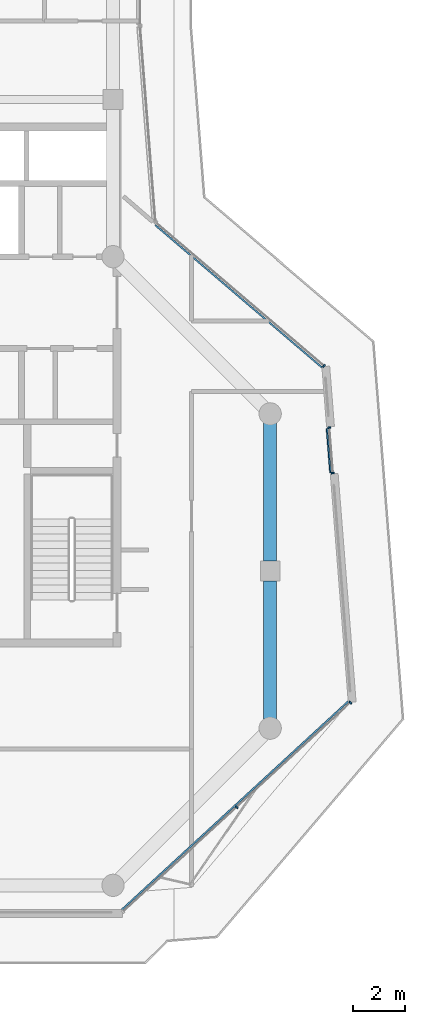
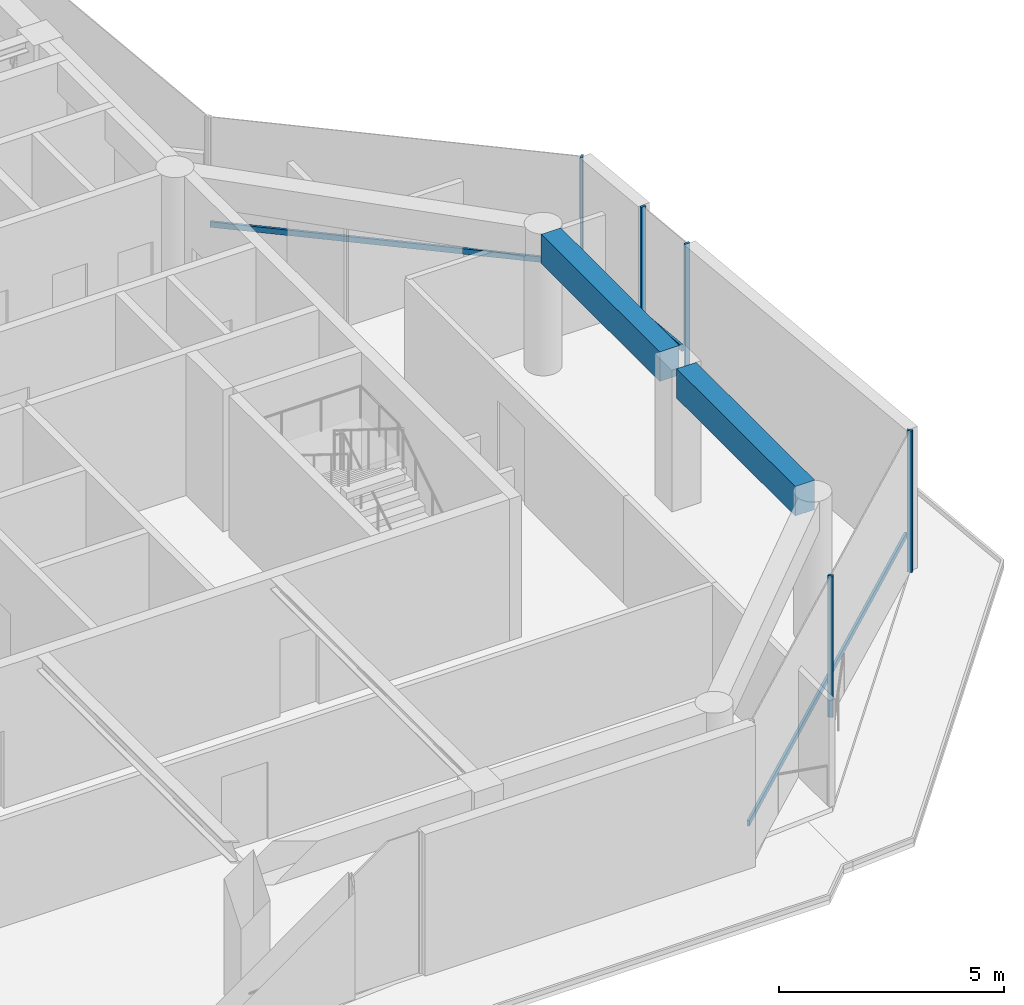
# One storey, part 6 of 23: 8 members, 2 beams, 3 elements without a shape of their own.
"""IFC4 building model written with IfcOpenShell, lengths in metres."""

from ifc_helpers import new_model, si_unit, direction, frame, origin, origin_2d, place, context, subcontext, project, spatial, rectangle, extrude, material, layer, layer_set, material_profile, profile_set, type_object, element, aggregate, save


model = new_model("IFC4")

# Units and contexts
model_context = context("Model", 3, precision=1e-05, world=origin(), true_north=direction((0.0, 1.0)))
body_context = subcontext(model_context, "Body", "Model", "MODEL_VIEW")
ifc_project = project(units=[si_unit("LENGTHUNIT", "METRE"), si_unit("AREAUNIT", "SQUARE_METRE"), si_unit("VOLUMEUNIT", "CUBIC_METRE"), si_unit("PLANEANGLEUNIT", "RADIAN"), si_unit("MASSUNIT", "GRAM", prefix="KILO")], contexts=[model_context])

# Site, building, storey
site_placement = place(None, origin())
site = spatial("IfcSite", under=ifc_project, at=site_placement, CompositionType="ELEMENT")
building_placement = place(site_placement, origin())
building = spatial("IfcBuilding", under=site, at=building_placement, Name="Welwitschia Terrace Campus", CompositionType="ELEMENT")
storey_placement = place(building_placement, frame((0.0, 0.0, 306.199951171875)))
storey = spatial("IfcBuildingStorey", under=building, at=storey_placement, Name="L68", CompositionType="ELEMENT", Elevation=306.199951171875)

# Curtain wall, members
ifc_material_1 = material(Name="Bronze anodised aluminium", Category="aluminium")
ifc_layer = layer(ifc_material_1, 0.1201171875)
ifc_layer_set = layer_set([ifc_layer], Name="Bronze anodised aluminium")
curtain_wall_type = type_object("IfcCurtainWallType", Name="Curtain wall CW2 tower 6000", PredefinedType="NOTDEFINED", material=ifc_layer_set)
curtain_wall_1_placement = place(storey_placement, origin())
curtain_wall_1 = element("IfcCurtainWall", 1, at=curtain_wall_1_placement, inside=storey, type_object=curtain_wall_type, Name="CW L68.3.0", PredefinedType="NOTDEFINED")
ifc_material_2 = material(Name="Bronze anodised aluminium", Category="aluminium")
ifc_material_profile_1 = material_profile(ifc_material_2, rectangle(XDim=0.1201171875, YDim=0.06005859375, at=origin_2d()))
ifc_profile_set_1 = profile_set([ifc_material_profile_1], Name="Bronze anodised aluminium")
member_type_1 = type_object("IfcMemberType", Name="Mullion 60x120", PredefinedType="MULLION", material=ifc_profile_set_1)
member_1_placement = place(storey_placement, frame((28.719970703125, -1.017822265625, 0.0), z_axis=(0.0, 0.0, 1.0), x_axis=(-0.677034390902, 0.735951379872, 0.0)))
member_1 = element("IfcMember", 2, at=member_1_placement, type_object=member_type_1, Name="Mullion L68.3.0.1", PredefinedType="MULLION", context=body_context, shape_type="SweptSolid", body=[
    extrude(rectangle(XDim=0.1201171875, YDim=0.06005859375, at=origin_2d()), origin(), (0.0, 0.0, 1.0), 3.85009765625),
])
member_2_placement = place(storey_placement, frame((33.05908203125, 2.973876953125, 0.0), z_axis=(0.0, 0.0, 1.0), x_axis=(-0.677034390902, 0.735951379872, 0.0)))
member_2 = element("IfcMember", 3, at=member_2_placement, type_object=member_type_1, Name="Mullion L68.3.0.2", PredefinedType="MULLION", context=body_context, shape_type="SweptSolid", body=[
    extrude(rectangle(XDim=0.1201171875, YDim=0.06005859375, at=origin_2d()), origin(), (0.0, 0.0, 1.0), 3.85009765625),
])

curtain_wall_2_placement = place(storey_placement, origin())
curtain_wall_2 = element("IfcCurtainWall", 4, at=curtain_wall_2_placement, inside=storey, type_object=curtain_wall_type, Name="CW L68.4.S0", PredefinedType="NOTDEFINED")
member_3_placement = place(storey_placement, frame((32.393310546875, 11.7373046875, 0.0), z_axis=(0.0, 0.0, 1.0), x_axis=(-0.996917333733, -0.078459095728, 0.0)))
member_3 = element("IfcMember", 5, at=member_3_placement, type_object=member_type_1, Name="Mullion L68.4.S0.0", PredefinedType="MULLION", context=body_context, shape_type="SweptSolid", body=[
    extrude(rectangle(XDim=0.1201171875, YDim=0.06005859375, at=origin_2d()), origin(), (0.0, 0.0, 1.0), 3.85009765625),
])
member_4_placement = place(storey_placement, frame((32.256591796875, 13.471923828125, 0.0), z_axis=(0.0, 0.0, 1.0), x_axis=(-0.996917333733, -0.078459095728, 0.0)))
member_4 = element("IfcMember", 6, at=member_4_placement, type_object=member_type_1, Name="Mullion L68.4.S0.1", PredefinedType="MULLION", context=body_context, shape_type="SweptSolid", body=[
    extrude(rectangle(XDim=0.1201171875, YDim=0.06005859375, at=origin_2d()), origin(), (0.0, 0.0, 1.0), 3.85009765625),
])

# Curtain wall, member
curtain_wall_3_placement = place(storey_placement, origin())
curtain_wall_3 = element("IfcCurtainWall", 7, at=curtain_wall_3_placement, inside=storey, type_object=curtain_wall_type, Name="CW L68.5.0", PredefinedType="NOTDEFINED")
member_5_placement = place(storey_placement, frame((32.050048828125, 15.827392578125, 0.0), z_axis=(0.0, 0.0, 1.0), x_axis=(-0.64944804833, -0.7604059656, 0.0)))
member_5 = element("IfcMember", 8, at=member_5_placement, type_object=member_type_1, Name="Mullion L68.5.0.0", PredefinedType="MULLION", context=body_context, shape_type="SweptSolid", body=[
    extrude(rectangle(XDim=0.1201171875, YDim=0.06005859375, at=origin_2d()), origin(), (0.0, 0.0, 1.0), 3.85009765625),
])

# Beams
ifc_material_3 = material(Name="Concrete C50/60", Category="concrete")
ifc_material_profile_2 = material_profile(ifc_material_3, rectangle(XDim=0.5, YDim=0.800048828125, at=origin_2d()))
ifc_profile_set_2 = profile_set([ifc_material_profile_2], Name="Concrete C50/60")
beam_type = type_object("IfcBeamType", Name="Ring spandrel 500x800", PredefinedType="SPANDREL", material=ifc_profile_set_2)
for number, where, z_axis, x_axis, name in (
    (9, (30.0, 2.344482421875, 3.449951171875), (0.0, 1.0, 0.0), (-1.0, 0.0, 0.0), "Spandrel SP4"),
    (10, (30.0, 8.37548828125, 3.449951171875), (0.0, 1.0, 0.0), (-1.0, 0.0, 0.0), "Spandrel SP4"),
):
    element("IfcBeam", number, at=place(storey_placement, frame(where, z_axis=z_axis, x_axis=x_axis)), inside=storey, type_object=beam_type, Name=name, PredefinedType="SPANDREL", context=body_context, shape_type="SweptSolid", body=[
        extrude(rectangle(XDim=0.5, YDim=0.800048828125, at=origin_2d()), origin(), (0.0, 0.0, 1.0), 5.280029296875),
    ])

# Member
ifc_material_4 = material(Name="Bronze anodised aluminium", Category="aluminium")
ifc_material_profile_3 = material_profile(ifc_material_4, rectangle(XDim=0.06005859375, YDim=0.14990234375, at=origin_2d()))
ifc_profile_set_3 = profile_set([ifc_material_profile_3], Name="Bronze anodised aluminium")
member_type_2 = type_object("IfcMemberType", Name="Transom 60x150", PredefinedType="USERDEFINED", material=ifc_profile_set_3)
member_6_placement = place(storey_placement, frame((24.341796875, -4.923095703125, 1.0), z_axis=(0.735948845646, 0.677037145651, 0.0), x_axis=(-0.677037145651, 0.735948845646, 0.0)))
member_6 = element("IfcMember", 11, at=member_6_placement, type_object=member_type_2, Name="Transom L68.3.0", ObjectType="TRANSOM", PredefinedType="USERDEFINED", context=body_context, shape_type="SweptSolid", body=[
    extrude(rectangle(XDim=0.06005859375, YDim=0.14990234375, at=origin_2d()), origin(), (0.0, 0.0, 1.0), 11.732177734375),
])

aggregate(curtain_wall_1, [member_1, member_2, member_6])

member_7_placement = place(storey_placement, frame((32.301025390625, 11.760009765625, 1.0), z_axis=(-0.078474447191, 0.996916125428, 0.0), x_axis=(-0.996916125428, -0.078474447191, 0.0)))
member_7 = element("IfcMember", 12, at=member_7_placement, type_object=member_type_2, Name="Transom L68.4.S0", ObjectType="TRANSOM", PredefinedType="USERDEFINED", context=body_context, shape_type="SweptSolid", body=[
    extrude(rectangle(XDim=0.06005859375, YDim=0.14990234375, at=origin_2d()), origin(), (0.0, 0.0, 1.0), 1.679931640625),
])

aggregate(curtain_wall_2, [member_3, member_4, member_7])

member_8_placement = place(storey_placement, frame((31.96875, 15.778564453125, 1.0), z_axis=(-0.760421419822, 0.649429953325, 0.0), x_axis=(-0.649429953325, -0.760421419822, 0.0)))
member_8 = element("IfcMember", 13, at=member_8_placement, type_object=member_type_2, Name="Transom L68.5.0", ObjectType="TRANSOM", PredefinedType="USERDEFINED", context=body_context, shape_type="SweptSolid", body=[
    extrude(rectangle(XDim=0.06005859375, YDim=0.14990234375, at=origin_2d()), origin(), (0.0, 0.0, 1.0), 8.365234375),
])

aggregate(curtain_wall_3, [member_5, member_8])

save(model, "model.ifc")
